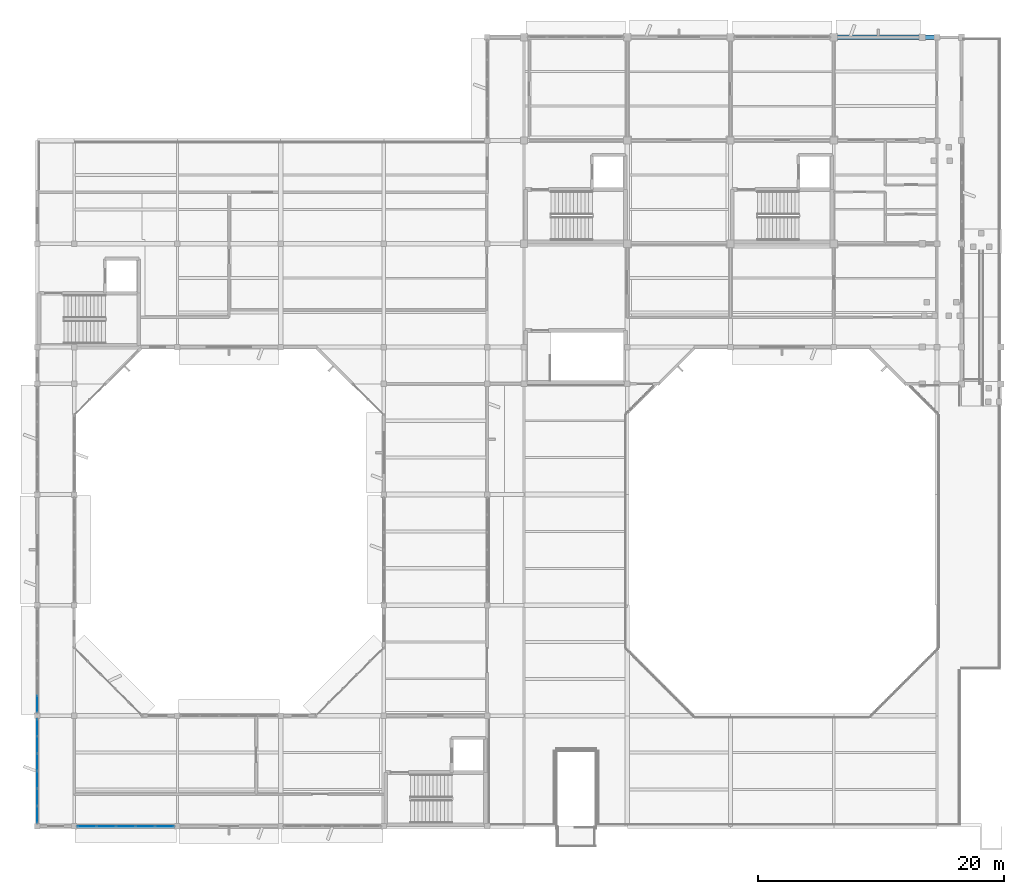
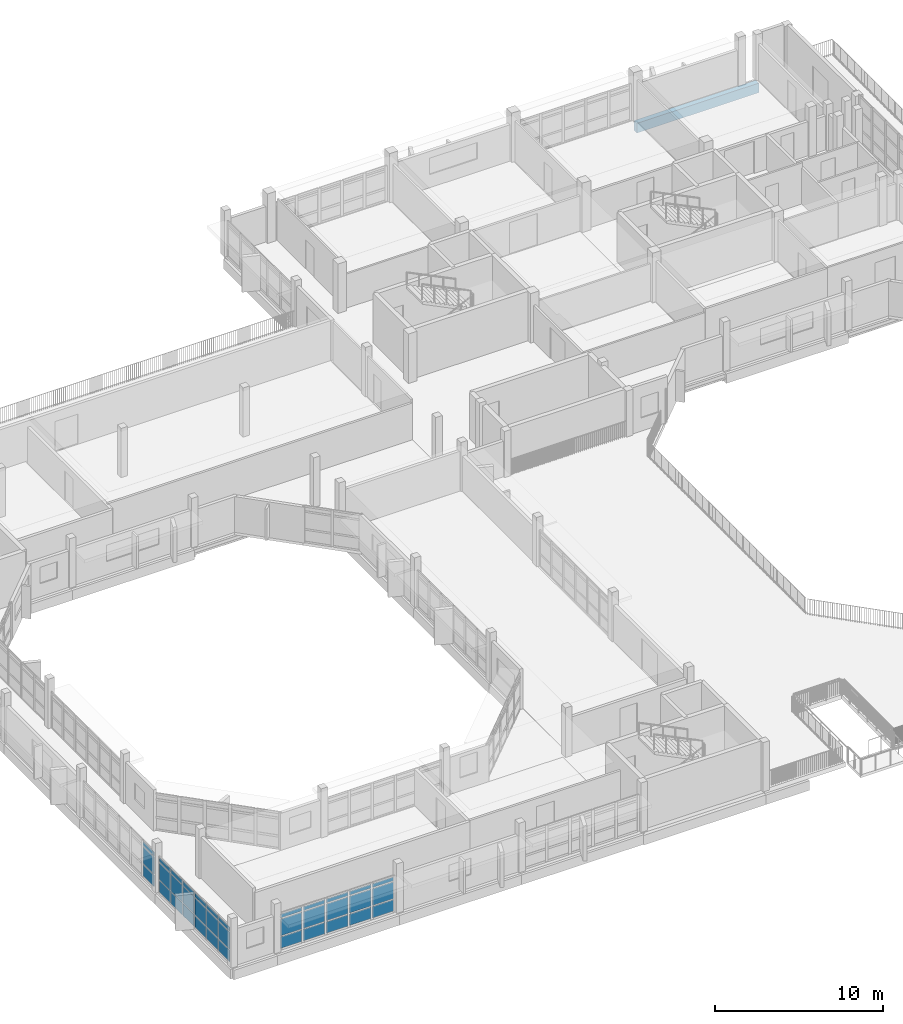
# One storey, part 16 of 42: 36 plates, 1 beam, 3 elements without a shape of their own.
"""IFC4 building model written with IfcOpenShell, lengths in metres."""

from ifc_helpers import new_model, si_unit, direction, frame, origin, origin_2d, place, context, subcontext, project, spatial, rectangle, extrude, material, layer, layer_set, material_profile, profile_set, type_object, element, aggregate, save


model = new_model("IFC4")

# Units and contexts
model_context = context("Model", 3, precision=1e-05, world=origin(), true_north=direction((0.0, 1.0)))
body_context = subcontext(model_context, "Body", "Model", "MODEL_VIEW")
ifc_project = project(units=[si_unit("LENGTHUNIT", "METRE"), si_unit("AREAUNIT", "SQUARE_METRE"), si_unit("VOLUMEUNIT", "CUBIC_METRE"), si_unit("PLANEANGLEUNIT", "RADIAN"), si_unit("MASSUNIT", "GRAM", prefix="KILO")], contexts=[model_context])

# Site, building, storey
site_placement = place(None, origin())
site = spatial("IfcSite", under=ifc_project, at=site_placement, CompositionType="ELEMENT")
building_placement = place(site_placement, origin())
building = spatial("IfcBuilding", under=site, at=building_placement, Name="Vanh Quang Courtyard School", CompositionType="ELEMENT")
storey_placement = place(building_placement, frame((0.0, 0.0, 15.0)))
storey = spatial("IfcBuildingStorey", under=building, at=storey_placement, Name="L04", CompositionType="ELEMENT", Elevation=15.0)

# Beam
ifc_material_1 = material(Name="Concrete C35/45", Category="concrete")
ifc_material_profile = material_profile(ifc_material_1, rectangle(XDim=0.35009765625, YDim=0.699951171875, at=origin_2d()), Name="RC-BM 350x700")
ifc_profile_set = profile_set([ifc_material_profile], Name="Concrete C35/45")
beam_type = type_object("IfcBeamType", Name="BM-RC-350x700", PredefinedType="BEAM", material=ifc_profile_set)
beam_placement = place(storey_placement, frame((102.60009765625, 96.60009765625, -0.610107421875), z_axis=(1.0, 0.0, 0.0), x_axis=(0.0, 1.0, 0.0)))
element("IfcBeam", 1, at=beam_placement, inside=storey, type_object=beam_type, Name="Beam B-04 (L04)", PredefinedType="BEAM", context=body_context, shape_type="SweptSolid", body=[
    extrude(rectangle(XDim=0.35009765625, YDim=0.699951171875, at=origin_2d()), origin(), (0.0, 0.0, 1.0), 8.39990234375),
])

# Curtain wall, plates
ifc_material_2 = material(Name="Thermally broken aluminium unitised curtain wall", Category="aluminium")
curtain_wall_type_1 = type_object("IfcCurtainWallType", Name="CW-SYS-50", PredefinedType="NOTDEFINED", material=ifc_material_2)
curtain_wall_1_placement = place(storey_placement, origin())
curtain_wall_1 = element("IfcCurtainWall", 2, at=curtain_wall_1_placement, inside=storey, type_object=curtain_wall_type_1, Name="Curtain Wall CW-50 (L04)", PredefinedType="NOTDEFINED")
ifc_material_3 = material(Name="Low-E laminated double glazing", Category="glass")
ifc_layer_1 = layer(ifc_material_3, 0.028076171875)
ifc_layer_set_1 = layer_set([ifc_layer_1], Name="Low-E laminated double glazing")
plate_type_1 = type_object("IfcPlateType", Name="CW-PNL-28", PredefinedType="CURTAIN_PANEL", material=ifc_layer_set_1)
plate_1_placement = place(storey_placement, frame((37.800048828125, 33.361572265625, 0.06982421875), z_axis=(0.0, 0.0, 1.0), x_axis=(0.0, 1.0, 0.0)))
plate_1 = element("IfcPlate", 3, at=plate_1_placement, type_object=plate_type_1, Name="CW-50 panel 1.1", PredefinedType="CURTAIN_PANEL", context=body_context, shape_type="SweptSolid", body=[
    extrude(rectangle(XDim=1.3173828125, YDim=0.028076171875, at=origin_2d()), origin(), (0.0, 0.0, 1.0), 0.844970703125),
])
plate_2_placement = place(storey_placement, frame((37.800048828125, 33.361572265625, 0.985107421875), z_axis=(0.0, 0.0, 1.0), x_axis=(0.0, 1.0, 0.0)))
plate_2 = element("IfcPlate", 4, at=plate_2_placement, type_object=plate_type_1, Name="CW-50 panel 1.2", PredefinedType="CURTAIN_PANEL", context=body_context, shape_type="SweptSolid", body=[
    extrude(rectangle(XDim=1.3173828125, YDim=0.028076171875, at=origin_2d()), origin(), (0.0, 0.0, 1.0), 1.22998046875),
])
plate_3_placement = place(storey_placement, frame((37.800048828125, 33.361572265625, 2.28515625), z_axis=(0.0, 0.0, 1.0), x_axis=(0.0, 1.0, 0.0)))
plate_3 = element("IfcPlate", 5, at=plate_3_placement, type_object=plate_type_1, Name="CW-50 panel 1.3", PredefinedType="CURTAIN_PANEL", context=body_context, shape_type="SweptSolid", body=[
    extrude(rectangle(XDim=1.3173828125, YDim=0.028076171875, at=origin_2d()), origin(), (0.0, 0.0, 1.0), 0.294921875),
])
plate_4_placement = place(storey_placement, frame((37.800048828125, 34.7666015625, 0.06982421875), z_axis=(0.0, 0.0, 1.0), x_axis=(0.0, 1.0, 0.0)))
plate_4 = element("IfcPlate", 6, at=plate_4_placement, type_object=plate_type_1, Name="CW-50 panel 2.1", PredefinedType="CURTAIN_PANEL", context=body_context, shape_type="SweptSolid", body=[
    extrude(rectangle(XDim=1.352294921875, YDim=0.028076171875, at=origin_2d()), origin(), (0.0, 0.0, 1.0), 0.844970703125),
])
plate_5_placement = place(storey_placement, frame((37.800048828125, 34.7666015625, 0.985107421875), z_axis=(0.0, 0.0, 1.0), x_axis=(0.0, 1.0, 0.0)))
plate_5 = element("IfcPlate", 7, at=plate_5_placement, type_object=plate_type_1, Name="CW-50 panel 2.2", PredefinedType="CURTAIN_PANEL", context=body_context, shape_type="SweptSolid", body=[
    extrude(rectangle(XDim=1.352294921875, YDim=0.028076171875, at=origin_2d()), origin(), (0.0, 0.0, 1.0), 1.22998046875),
])
plate_6_placement = place(storey_placement, frame((37.800048828125, 34.7666015625, 2.28515625), z_axis=(0.0, 0.0, 1.0), x_axis=(0.0, 1.0, 0.0)))
plate_6 = element("IfcPlate", 8, at=plate_6_placement, type_object=plate_type_1, Name="CW-50 panel 2.3", PredefinedType="CURTAIN_PANEL", context=body_context, shape_type="SweptSolid", body=[
    extrude(rectangle(XDim=1.352294921875, YDim=0.028076171875, at=origin_2d()), origin(), (0.0, 0.0, 1.0), 0.294921875),
])
plate_7_placement = place(storey_placement, frame((37.800048828125, 36.188720703125, 0.06982421875), z_axis=(0.0, 0.0, 1.0), x_axis=(0.0, 1.0, 0.0)))
plate_7 = element("IfcPlate", 9, at=plate_7_placement, type_object=plate_type_1, Name="CW-50 panel 3.1", PredefinedType="CURTAIN_PANEL", context=body_context, shape_type="SweptSolid", body=[
    extrude(rectangle(XDim=1.352294921875, YDim=0.028076171875, at=origin_2d()), origin(), (0.0, 0.0, 1.0), 0.844970703125),
])
plate_8_placement = place(storey_placement, frame((37.800048828125, 36.188720703125, 0.985107421875), z_axis=(0.0, 0.0, 1.0), x_axis=(0.0, 1.0, 0.0)))
plate_8 = element("IfcPlate", 10, at=plate_8_placement, type_object=plate_type_1, Name="CW-50 panel 3.2", PredefinedType="CURTAIN_PANEL", context=body_context, shape_type="SweptSolid", body=[
    extrude(rectangle(XDim=1.352294921875, YDim=0.028076171875, at=origin_2d()), origin(), (0.0, 0.0, 1.0), 1.22998046875),
])
plate_9_placement = place(storey_placement, frame((37.800048828125, 36.188720703125, 2.28515625), z_axis=(0.0, 0.0, 1.0), x_axis=(0.0, 1.0, 0.0)))
plate_9 = element("IfcPlate", 11, at=plate_9_placement, type_object=plate_type_1, Name="CW-50 panel 3.3", PredefinedType="CURTAIN_PANEL", context=body_context, shape_type="SweptSolid", body=[
    extrude(rectangle(XDim=1.352294921875, YDim=0.028076171875, at=origin_2d()), origin(), (0.0, 0.0, 1.0), 0.294921875),
])
plate_10_placement = place(storey_placement, frame((37.800048828125, 37.611083984375, 0.06982421875), z_axis=(0.0, 0.0, 1.0), x_axis=(0.0, 1.0, 0.0)))
plate_10 = element("IfcPlate", 12, at=plate_10_placement, type_object=plate_type_1, Name="CW-50 panel 4.1", PredefinedType="CURTAIN_PANEL", context=body_context, shape_type="SweptSolid", body=[
    extrude(rectangle(XDim=1.352294921875, YDim=0.028076171875, at=origin_2d()), origin(), (0.0, 0.0, 1.0), 0.844970703125),
])
plate_11_placement = place(storey_placement, frame((37.800048828125, 37.611083984375, 0.985107421875), z_axis=(0.0, 0.0, 1.0), x_axis=(0.0, 1.0, 0.0)))
plate_11 = element("IfcPlate", 13, at=plate_11_placement, type_object=plate_type_1, Name="CW-50 panel 4.2", PredefinedType="CURTAIN_PANEL", context=body_context, shape_type="SweptSolid", body=[
    extrude(rectangle(XDim=1.352294921875, YDim=0.028076171875, at=origin_2d()), origin(), (0.0, 0.0, 1.0), 1.22998046875),
])
plate_12_placement = place(storey_placement, frame((37.800048828125, 37.611083984375, 2.28515625), z_axis=(0.0, 0.0, 1.0), x_axis=(0.0, 1.0, 0.0)))
plate_12 = element("IfcPlate", 14, at=plate_12_placement, type_object=plate_type_1, Name="CW-50 panel 4.3", PredefinedType="CURTAIN_PANEL", context=body_context, shape_type="SweptSolid", body=[
    extrude(rectangle(XDim=1.352294921875, YDim=0.028076171875, at=origin_2d()), origin(), (0.0, 0.0, 1.0), 0.294921875),
])
plate_13_placement = place(storey_placement, frame((37.800048828125, 39.033447265625, 0.06982421875), z_axis=(0.0, 0.0, 1.0), x_axis=(0.0, 1.0, 0.0)))
plate_13 = element("IfcPlate", 15, at=plate_13_placement, type_object=plate_type_1, Name="CW-50 panel 5.1", PredefinedType="CURTAIN_PANEL", context=body_context, shape_type="SweptSolid", body=[
    extrude(rectangle(XDim=1.352294921875, YDim=0.028076171875, at=origin_2d()), origin(), (0.0, 0.0, 1.0), 0.844970703125),
])
plate_14_placement = place(storey_placement, frame((37.800048828125, 39.033447265625, 0.985107421875), z_axis=(0.0, 0.0, 1.0), x_axis=(0.0, 1.0, 0.0)))
plate_14 = element("IfcPlate", 16, at=plate_14_placement, type_object=plate_type_1, Name="CW-50 panel 5.2", PredefinedType="CURTAIN_PANEL", context=body_context, shape_type="SweptSolid", body=[
    extrude(rectangle(XDim=1.352294921875, YDim=0.028076171875, at=origin_2d()), origin(), (0.0, 0.0, 1.0), 1.22998046875),
])
plate_15_placement = place(storey_placement, frame((37.800048828125, 39.033447265625, 2.28515625), z_axis=(0.0, 0.0, 1.0), x_axis=(0.0, 1.0, 0.0)))
plate_15 = element("IfcPlate", 17, at=plate_15_placement, type_object=plate_type_1, Name="CW-50 panel 5.3", PredefinedType="CURTAIN_PANEL", context=body_context, shape_type="SweptSolid", body=[
    extrude(rectangle(XDim=1.352294921875, YDim=0.028076171875, at=origin_2d()), origin(), (0.0, 0.0, 1.0), 0.294921875),
])
plate_16_placement = place(storey_placement, frame((37.800048828125, 40.438232421875, 0.06982421875), z_axis=(0.0, 0.0, 1.0), x_axis=(0.0, 1.0, 0.0)))
plate_16 = element("IfcPlate", 18, at=plate_16_placement, type_object=plate_type_1, Name="CW-50 panel 6.1", PredefinedType="CURTAIN_PANEL", context=body_context, shape_type="SweptSolid", body=[
    extrude(rectangle(XDim=1.3173828125, YDim=0.028076171875, at=origin_2d()), origin(), (0.0, 0.0, 1.0), 0.844970703125),
])
plate_17_placement = place(storey_placement, frame((37.800048828125, 40.438232421875, 0.985107421875), z_axis=(0.0, 0.0, 1.0), x_axis=(0.0, 1.0, 0.0)))
plate_17 = element("IfcPlate", 19, at=plate_17_placement, type_object=plate_type_1, Name="CW-50 panel 6.2", PredefinedType="CURTAIN_PANEL", context=body_context, shape_type="SweptSolid", body=[
    extrude(rectangle(XDim=1.3173828125, YDim=0.028076171875, at=origin_2d()), origin(), (0.0, 0.0, 1.0), 1.22998046875),
])
plate_18_placement = place(storey_placement, frame((37.800048828125, 40.438232421875, 2.28515625), z_axis=(0.0, 0.0, 1.0), x_axis=(0.0, 1.0, 0.0)))
plate_18 = element("IfcPlate", 20, at=plate_18_placement, type_object=plate_type_1, Name="CW-50 panel 6.3", PredefinedType="CURTAIN_PANEL", context=body_context, shape_type="SweptSolid", body=[
    extrude(rectangle(XDim=1.3173828125, YDim=0.028076171875, at=origin_2d()), origin(), (0.0, 0.0, 1.0), 0.294921875),
])
aggregate(curtain_wall_1, [plate_1, plate_2, plate_3, plate_4, plate_5, plate_6, plate_7, plate_8, plate_9, plate_10, plate_11, plate_12, plate_13, plate_14, plate_15, plate_16, plate_17, plate_18])

curtain_wall_type_2 = type_object("IfcCurtainWallType", Name="CW-SYS-19", PredefinedType="NOTDEFINED", material=ifc_material_2)
curtain_wall_2_placement = place(storey_placement, origin())
curtain_wall_2 = element("IfcCurtainWall", 21, at=curtain_wall_2_placement, inside=storey, type_object=curtain_wall_type_2, Name="Curtain Wall CW-19 (L04)", PredefinedType="NOTDEFINED")
plate_19_placement = place(storey_placement, frame((48.153564453125, 32.39990234375, 0.080078125), z_axis=(0.0, 0.0, 1.0), x_axis=(-1.0, 0.0, 0.0)))
plate_19 = element("IfcPlate", 22, at=plate_19_placement, type_object=plate_type_1, Name="CW-19 panel 1.1", PredefinedType="CURTAIN_PANEL", context=body_context, shape_type="SweptSolid", body=[
    extrude(rectangle(XDim=1.466796875, YDim=0.028076171875, at=origin_2d()), origin(), (0.0, 0.0, 1.0), 0.830078125),
])
plate_20_placement = place(storey_placement, frame((48.153564453125, 32.39990234375, 0.990234375), z_axis=(0.0, 0.0, 1.0), x_axis=(-1.0, 0.0, 0.0)))
plate_20 = element("IfcPlate", 23, at=plate_20_placement, type_object=plate_type_1, Name="CW-19 panel 1.2", PredefinedType="CURTAIN_PANEL", context=body_context, shape_type="SweptSolid", body=[
    extrude(rectangle(XDim=1.466796875, YDim=0.028076171875, at=origin_2d()), origin(), (0.0, 0.0, 1.0), 1.219970703125),
])
plate_21_placement = place(storey_placement, frame((48.153564453125, 32.39990234375, 2.2900390625), z_axis=(0.0, 0.0, 1.0), x_axis=(-1.0, 0.0, 0.0)))
plate_21 = element("IfcPlate", 24, at=plate_21_placement, type_object=plate_type_1, Name="CW-19 panel 1.3", PredefinedType="CURTAIN_PANEL", context=body_context, shape_type="SweptSolid", body=[
    extrude(rectangle(XDim=1.466796875, YDim=0.028076171875, at=origin_2d()), origin(), (0.0, 0.0, 1.0), 0.280029296875),
])
plate_22_placement = place(storey_placement, frame((46.5869140625, 32.39990234375, 0.080078125), z_axis=(0.0, 0.0, 1.0), x_axis=(-1.0, 0.0, 0.0)))
plate_22 = element("IfcPlate", 25, at=plate_22_placement, type_object=plate_type_1, Name="CW-19 panel 2.1", PredefinedType="CURTAIN_PANEL", context=body_context, shape_type="SweptSolid", body=[
    extrude(rectangle(XDim=1.5068359375, YDim=0.028076171875, at=origin_2d()), origin(), (0.0, 0.0, 1.0), 0.830078125),
])
plate_23_placement = place(storey_placement, frame((46.5869140625, 32.39990234375, 0.990234375), z_axis=(0.0, 0.0, 1.0), x_axis=(-1.0, 0.0, 0.0)))
plate_23 = element("IfcPlate", 26, at=plate_23_placement, type_object=plate_type_1, Name="CW-19 panel 2.2", PredefinedType="CURTAIN_PANEL", context=body_context, shape_type="SweptSolid", body=[
    extrude(rectangle(XDim=1.5068359375, YDim=0.028076171875, at=origin_2d()), origin(), (0.0, 0.0, 1.0), 1.219970703125),
])
plate_24_placement = place(storey_placement, frame((46.5869140625, 32.39990234375, 2.2900390625), z_axis=(0.0, 0.0, 1.0), x_axis=(-1.0, 0.0, 0.0)))
plate_24 = element("IfcPlate", 27, at=plate_24_placement, type_object=plate_type_1, Name="CW-19 panel 2.3", PredefinedType="CURTAIN_PANEL", context=body_context, shape_type="SweptSolid", body=[
    extrude(rectangle(XDim=1.5068359375, YDim=0.028076171875, at=origin_2d()), origin(), (0.0, 0.0, 1.0), 0.280029296875),
])
plate_25_placement = place(storey_placement, frame((45.0, 32.39990234375, 0.080078125), z_axis=(0.0, 0.0, 1.0), x_axis=(-1.0, 0.0, 0.0)))
plate_25 = element("IfcPlate", 28, at=plate_25_placement, type_object=plate_type_1, Name="CW-19 panel 3.1", PredefinedType="CURTAIN_PANEL", context=body_context, shape_type="SweptSolid", body=[
    extrude(rectangle(XDim=1.5068359375, YDim=0.028076171875, at=origin_2d()), origin(), (0.0, 0.0, 1.0), 0.830078125),
])
plate_26_placement = place(storey_placement, frame((45.0, 32.39990234375, 0.990234375), z_axis=(0.0, 0.0, 1.0), x_axis=(-1.0, 0.0, 0.0)))
plate_26 = element("IfcPlate", 29, at=plate_26_placement, type_object=plate_type_1, Name="CW-19 panel 3.2", PredefinedType="CURTAIN_PANEL", context=body_context, shape_type="SweptSolid", body=[
    extrude(rectangle(XDim=1.5068359375, YDim=0.028076171875, at=origin_2d()), origin(), (0.0, 0.0, 1.0), 1.219970703125),
])
plate_27_placement = place(storey_placement, frame((45.0, 32.39990234375, 2.2900390625), z_axis=(0.0, 0.0, 1.0), x_axis=(-1.0, 0.0, 0.0)))
plate_27 = element("IfcPlate", 30, at=plate_27_placement, type_object=plate_type_1, Name="CW-19 panel 3.3", PredefinedType="CURTAIN_PANEL", context=body_context, shape_type="SweptSolid", body=[
    extrude(rectangle(XDim=1.5068359375, YDim=0.028076171875, at=origin_2d()), origin(), (0.0, 0.0, 1.0), 0.280029296875),
])
plate_28_placement = place(storey_placement, frame((43.4130859375, 32.39990234375, 0.080078125), z_axis=(0.0, 0.0, 1.0), x_axis=(-1.0, 0.0, 0.0)))
plate_28 = element("IfcPlate", 31, at=plate_28_placement, type_object=plate_type_1, Name="CW-19 panel 4.1", PredefinedType="CURTAIN_PANEL", context=body_context, shape_type="SweptSolid", body=[
    extrude(rectangle(XDim=1.5068359375, YDim=0.028076171875, at=origin_2d()), origin(), (0.0, 0.0, 1.0), 0.830078125),
])
plate_29_placement = place(storey_placement, frame((43.4130859375, 32.39990234375, 0.990234375), z_axis=(0.0, 0.0, 1.0), x_axis=(-1.0, 0.0, 0.0)))
plate_29 = element("IfcPlate", 32, at=plate_29_placement, type_object=plate_type_1, Name="CW-19 panel 4.2", PredefinedType="CURTAIN_PANEL", context=body_context, shape_type="SweptSolid", body=[
    extrude(rectangle(XDim=1.5068359375, YDim=0.028076171875, at=origin_2d()), origin(), (0.0, 0.0, 1.0), 1.219970703125),
])
plate_30_placement = place(storey_placement, frame((43.4130859375, 32.39990234375, 2.2900390625), z_axis=(0.0, 0.0, 1.0), x_axis=(-1.0, 0.0, 0.0)))
plate_30 = element("IfcPlate", 33, at=plate_30_placement, type_object=plate_type_1, Name="CW-19 panel 4.3", PredefinedType="CURTAIN_PANEL", context=body_context, shape_type="SweptSolid", body=[
    extrude(rectangle(XDim=1.5068359375, YDim=0.028076171875, at=origin_2d()), origin(), (0.0, 0.0, 1.0), 0.280029296875),
])
plate_31_placement = place(storey_placement, frame((41.846435546875, 32.39990234375, 0.080078125), z_axis=(0.0, 0.0, 1.0), x_axis=(-1.0, 0.0, 0.0)))
plate_31 = element("IfcPlate", 34, at=plate_31_placement, type_object=plate_type_1, Name="CW-19 panel 5.1", PredefinedType="CURTAIN_PANEL", context=body_context, shape_type="SweptSolid", body=[
    extrude(rectangle(XDim=1.466796875, YDim=0.028076171875, at=origin_2d()), origin(), (0.0, 0.0, 1.0), 0.830078125),
])
plate_32_placement = place(storey_placement, frame((41.846435546875, 32.39990234375, 0.990234375), z_axis=(0.0, 0.0, 1.0), x_axis=(-1.0, 0.0, 0.0)))
plate_32 = element("IfcPlate", 35, at=plate_32_placement, type_object=plate_type_1, Name="CW-19 panel 5.2", PredefinedType="CURTAIN_PANEL", context=body_context, shape_type="SweptSolid", body=[
    extrude(rectangle(XDim=1.466796875, YDim=0.028076171875, at=origin_2d()), origin(), (0.0, 0.0, 1.0), 1.219970703125),
])
plate_33_placement = place(storey_placement, frame((41.846435546875, 32.39990234375, 2.2900390625), z_axis=(0.0, 0.0, 1.0), x_axis=(-1.0, 0.0, 0.0)))
plate_33 = element("IfcPlate", 36, at=plate_33_placement, type_object=plate_type_1, Name="CW-19 panel 5.3", PredefinedType="CURTAIN_PANEL", context=body_context, shape_type="SweptSolid", body=[
    extrude(rectangle(XDim=1.466796875, YDim=0.028076171875, at=origin_2d()), origin(), (0.0, 0.0, 1.0), 0.280029296875),
])
aggregate(curtain_wall_2, [plate_19, plate_20, plate_21, plate_22, plate_23, plate_24, plate_25, plate_26, plate_27, plate_28, plate_29, plate_30, plate_31, plate_32, plate_33])

curtain_wall_3_placement = place(storey_placement, origin())
curtain_wall_3 = element("IfcCurtainWall", 37, at=curtain_wall_3_placement, inside=storey, type_object=curtain_wall_type_1, Name="Curtain Wall CW-50 (L04)", PredefinedType="NOTDEFINED")
ifc_layer_2 = layer(ifc_material_3, 0.031982421875)
ifc_layer_set_2 = layer_set([ifc_layer_2], Name="Low-E laminated double glazing")
plate_type_2 = type_object("IfcPlateType", Name="CW-PNL-32", PredefinedType="CURTAIN_PANEL", material=ifc_layer_set_2)
plate_34_placement = place(storey_placement, frame((37.800048828125, 42.3642578125, 0.080078125), z_axis=(0.0, 0.0, 1.0), x_axis=(0.0, 1.0, 0.0)))
plate_34 = element("IfcPlate", 38, at=plate_34_placement, type_object=plate_type_2, Name="CW-50 panel 1.1", PredefinedType="CURTAIN_PANEL", context=body_context, shape_type="SweptSolid", body=[
    extrude(rectangle(XDim=1.30224609375, YDim=0.031982421875, at=origin_2d()), origin(), (0.0, 0.0, 1.0), 0.830078125),
])
plate_35_placement = place(storey_placement, frame((37.800048828125, 42.3642578125, 0.990234375), z_axis=(0.0, 0.0, 1.0), x_axis=(0.0, 1.0, 0.0)))
plate_35 = element("IfcPlate", 39, at=plate_35_placement, type_object=plate_type_2, Name="CW-50 panel 1.2", PredefinedType="CURTAIN_PANEL", context=body_context, shape_type="SweptSolid", body=[
    extrude(rectangle(XDim=1.30224609375, YDim=0.031982421875, at=origin_2d()), origin(), (0.0, 0.0, 1.0), 1.219970703125),
])
plate_36_placement = place(storey_placement, frame((37.800048828125, 42.3642578125, 2.2900390625), z_axis=(0.0, 0.0, 1.0), x_axis=(0.0, 1.0, 0.0)))
plate_36 = element("IfcPlate", 40, at=plate_36_placement, type_object=plate_type_2, Name="CW-50 panel 1.3", PredefinedType="CURTAIN_PANEL", context=body_context, shape_type="SweptSolid", body=[
    extrude(rectangle(XDim=1.30224609375, YDim=0.031982421875, at=origin_2d()), origin(), (0.0, 0.0, 1.0), 0.280029296875),
])
aggregate(curtain_wall_3, [plate_34, plate_35, plate_36])

save(model, "model.ifc")
